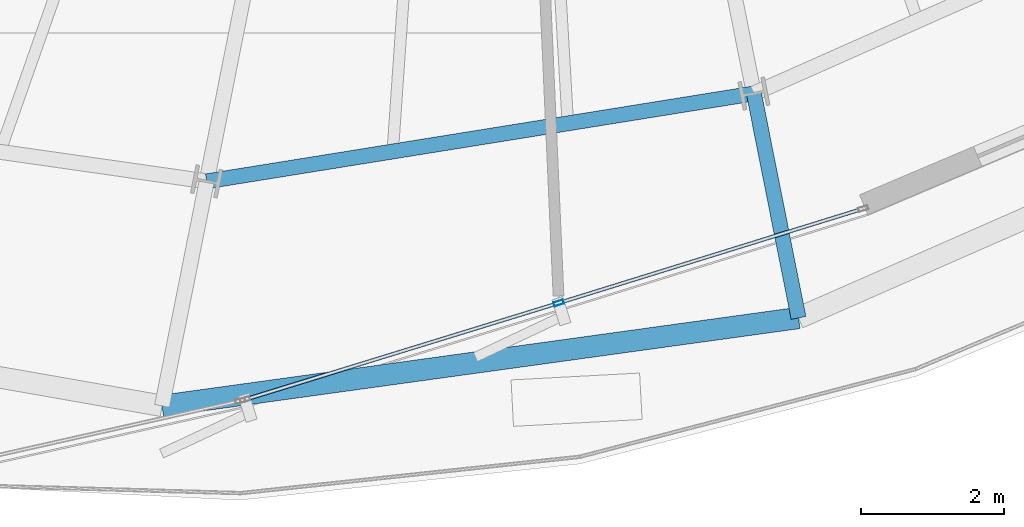
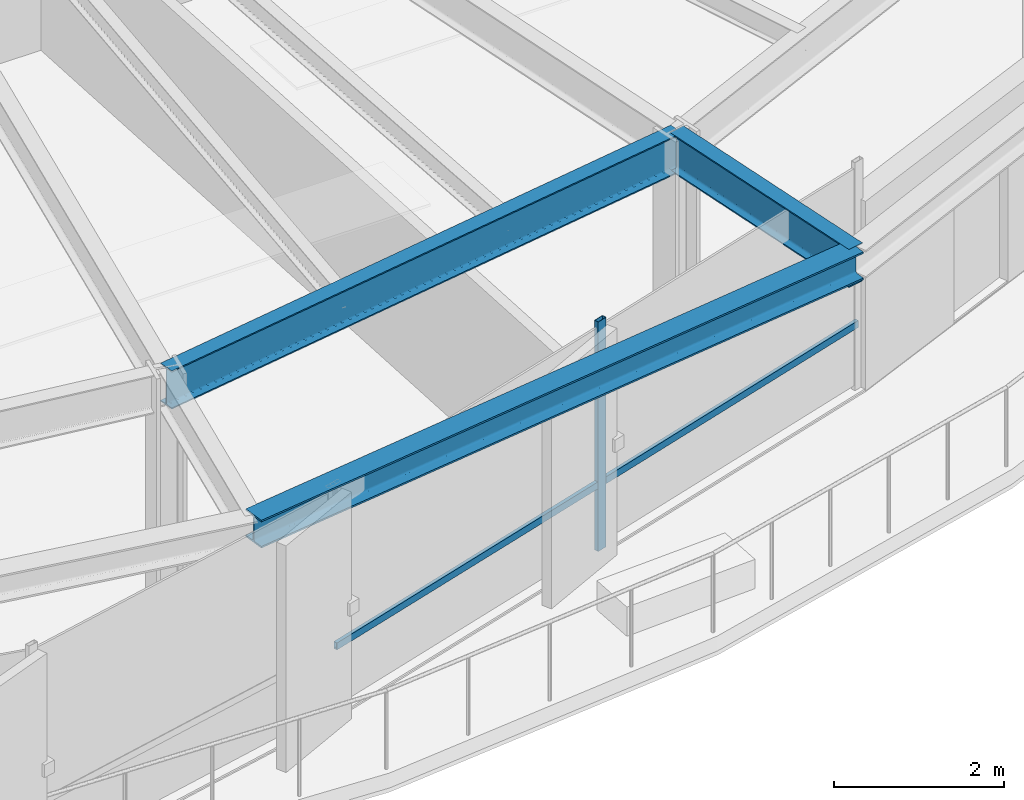
# One storey, part 6 of 36: 3 beams, 3 members, 1 element without a shape of its own.
"""IFC4 building model written with IfcOpenShell, lengths in metres."""

from ifc_helpers import new_model, si_unit, direction, frame, origin, origin_2d, place, context, subcontext, project, spatial, hollow_rectangle, i_section, extrude, source, transform, mapped, material, layer, layer_set, material_profile, profile_set, type_object, element, aggregate, save


model = new_model("IFC4")

# Units and contexts
model_context = context("Model", 3, precision=1e-05, world=origin(), true_north=direction((0.0, 1.0)))
body_context = subcontext(model_context, "Body", "Model", "MODEL_VIEW")
ifc_project = project(units=[si_unit("LENGTHUNIT", "METRE"), si_unit("AREAUNIT", "SQUARE_METRE"), si_unit("VOLUMEUNIT", "CUBIC_METRE"), si_unit("PLANEANGLEUNIT", "RADIAN"), si_unit("MASSUNIT", "GRAM", prefix="KILO"), si_unit("THERMODYNAMICTEMPERATUREUNIT", "KELVIN")], contexts=[model_context])

# Site, building, storey
site_placement = place(None, origin())
site = spatial("IfcSite", under=ifc_project, at=site_placement, CompositionType="ELEMENT")
building_placement = place(site_placement, origin())
building = spatial("IfcBuilding", under=site, at=building_placement, Name="Kethvar Cultural Tower", CompositionType="ELEMENT")
storey_placement = place(building_placement, frame((0.0, 0.0, 143.0)))
storey = spatial("IfcBuildingStorey", under=building, at=storey_placement, Name="L36", CompositionType="ELEMENT", Elevation=143.0)

# Beams
ifc_material_1 = material(Name="Steel S355J2", Category="steel")
ifc_material_profile_1 = material_profile(ifc_material_1, i_section(OverallWidth=0.2099609375, OverallDepth=0.550048828125, WebThickness=0.010986328125, FlangeThickness=0.01708984375, FilletRadius=0.02392578125, at=origin_2d()), Name="Steel S355J2 — IPE550")
ifc_profile_set_1 = profile_set([ifc_material_profile_1], Name="Steel S355J2 — IPE550")
beam_type_1 = type_object("IfcBeamType", Name="BM-IPE550", PredefinedType="BEAM", material=ifc_profile_set_1)
shared_shape_1 = source(origin(), body_context, "Body", "SweptSolid", [
    extrude(i_section(OverallWidth=0.2099609375, OverallDepth=0.550048828125, WebThickness=0.010986328125, FlangeThickness=0.01708984375, FilletRadius=0.02392578125, at=origin_2d()), origin(), (0.0, 0.0, 1.0), 3.2001953125),
])
beam_1_placement = place(storey_placement, frame((50.50341796875, 9.182373046875, 3.02294921875), z_axis=(0.195074368086, -0.980788453702, 0.0), x_axis=(0.980788453702, 0.195074368086, 0.0)))
element("IfcBeam", 1, at=beam_1_placement, inside=storey, type_object=beam_type_1, Name="L36 Perimeter Cantilever Beam RC-13", PredefinedType="BEAM", context=body_context, shape_type="MappedRepresentation", body=[
    mapped(shared_shape_1, transform((0.0, 0.0, 0.0), scale=1.0)),
])
shared_shape_2 = source(origin(), body_context, "Body", "SweptSolid", [
    extrude(i_section(OverallWidth=0.2099609375, OverallDepth=0.550048828125, WebThickness=0.010986328125, FlangeThickness=0.01708984375, FilletRadius=0.02392578125, at=origin_2d()), origin(), (0.0, 0.0, 1.0), 7.749267578125),
])
beam_2_placement = place(storey_placement, frame((42.852294921875, 7.95361328125, 3.02294921875), z_axis=(0.987348257569, 0.158566762831, 0.0), x_axis=(-0.158566762831, 0.987348257569, 0.0)))
element("IfcBeam", 2, at=beam_2_placement, inside=storey, type_object=beam_type_1, Name="L36 Column Ring Tie Beam CR-12", PredefinedType="BEAM", context=body_context, shape_type="MappedRepresentation", body=[
    mapped(shared_shape_2, transform((0.0, 0.0, 0.0), scale=1.0)),
])
ifc_material_profile_2 = material_profile(ifc_material_1, i_section(OverallWidth=0.300048828125, OverallDepth=0.39990234375, WebThickness=0.013427734375, FlangeThickness=0.02392578125, FilletRadius=0.027099609375, at=origin_2d()), Name="Steel S355J2 — HEB400")
ifc_profile_set_2 = profile_set([ifc_material_profile_2], Name="Steel S355J2 — HEB400")
beam_type_2 = type_object("IfcBeamType", Name="BM-SP400", PredefinedType="SPANDREL", material=ifc_profile_set_2)
shared_shape_3 = source(origin(), body_context, "Body", "SweptSolid", [
    extrude(i_section(OverallWidth=0.300048828125, OverallDepth=0.39990234375, WebThickness=0.013427734375, FlangeThickness=0.02392578125, FilletRadius=0.027099609375, at=origin_2d()), origin(), (0.0, 0.0, 1.0), 8.984130859375),
])
beam_3_placement = place(storey_placement, frame((42.22802734375, 4.81494140625, 3.097900390625), z_axis=(0.990602728928, 0.136770733127, 0.0), x_axis=(-0.136770733127, 0.990602728928, 0.0)))
element("IfcBeam", 3, at=beam_3_placement, inside=storey, type_object=beam_type_2, Name="L36 Perimeter Spandrel Beam SP-12", PredefinedType="SPANDREL", context=body_context, shape_type="MappedRepresentation", body=[
    mapped(shared_shape_3, transform((0.0, 0.0, 0.0), scale=1.0)),
])

# Curtain wall, members
ifc_material_2 = material(Name="Aluminium 6063-T6", Category="aluminium")
ifc_layer = layer(ifc_material_2, 0.179931640625, Name="Aluminium 6063-T6", Category="aluminium")
ifc_layer_set = layer_set([ifc_layer], Name="Aluminium 6063-T6 (180 mm)")
curtain_wall_type = type_object("IfcCurtainWallType", Name="CW-SYS-04-Z34", PredefinedType="NOTDEFINED", material=ifc_layer_set)
curtain_wall_placement = place(storey_placement, origin())
curtain_wall = element("IfcCurtainWall", 4, at=curtain_wall_placement, inside=storey, type_object=curtain_wall_type, Name="L36 Curtain Wall Run 05", PredefinedType="NOTDEFINED")
ifc_material_profile_3 = material_profile(ifc_material_2, hollow_rectangle(XDim=0.06005859375, YDim=0.139892578125, WallThickness=0.0048828125, at=origin_2d()), Name="Aluminium 6063-T6 — RHS140x60x5")
ifc_profile_set_3 = profile_set([ifc_material_profile_3], Name="Aluminium 6063-T6 — RHS140x60x5")
member_type_1 = type_object("IfcMemberType", Name="CW-SYS-04-Z34-MUL", PredefinedType="MULLION", material=ifc_profile_set_3)
shared_shape_4 = source(origin(), body_context, "Body", "SweptSolid", [
    extrude(hollow_rectangle(XDim=0.06005859375, YDim=0.139892578125, WallThickness=0.0048828125, at=origin_2d()), origin(), (0.0, 0.0, 1.0), 3.300048828125),
])
member_1_placement = place(storey_placement, frame((47.77587890625, 6.25341796875, 0.0), z_axis=(0.0, 0.0, 1.0), x_axis=(-0.296141511153, 0.955144075714, 0.0)))
member_1 = element("IfcMember", 5, at=member_1_placement, type_object=member_type_1, Name="CW-L36-R05 Mullion 2", PredefinedType="MULLION", context=body_context, shape_type="MappedRepresentation", body=[
    mapped(shared_shape_4, transform((0.0, 0.0, 0.0), scale=1.0)),
])
ifc_material_profile_4 = material_profile(ifc_material_2, hollow_rectangle(XDim=0.050048828125, YDim=0.10009765625, WallThickness=0.00390625, at=origin_2d()), Name="Aluminium 6063-T6 — RHS100x50x4")
ifc_profile_set_4 = profile_set([ifc_material_profile_4], Name="Aluminium 6063-T6 — RHS100x50x4")
member_type_2 = type_object("IfcMemberType", Name="CW-SYS-04-Z34-TRN", PredefinedType="USERDEFINED", material=ifc_profile_set_4)
shared_shape_5 = source(origin(), body_context, "Body", "SweptSolid", [
    extrude(hollow_rectangle(XDim=0.050048828125, YDim=0.10009765625, WallThickness=0.00390625, at=origin_2d()), origin(), (0.0, 0.0, 1.0), 4.54248046875),
])
member_2_placement = place(storey_placement, frame((43.393310546875, 4.904296875, 0.949951171875), z_axis=(0.9557592514, 0.294150052461, 0.0), x_axis=(-0.294150052461, 0.9557592514, 0.0)))
member_2 = element("IfcMember", 6, at=member_2_placement, type_object=member_type_2, Name="CW-L36-R05 Transom 1", ObjectType="TRANSOM", PredefinedType="USERDEFINED", context=body_context, shape_type="MappedRepresentation", body=[
    mapped(shared_shape_5, transform((0.0, 0.0, 0.0), scale=1.0)),
])
shared_shape_6 = source(origin(), body_context, "Body", "SweptSolid", [
    extrude(hollow_rectangle(XDim=0.050048828125, YDim=0.10009765625, WallThickness=0.00390625, at=origin_2d()), origin(), (0.0, 0.0, 1.0), 4.408203125),
])
member_3_placement = place(storey_placement, frame((47.817138671875, 6.26611328125, 0.949951171875), z_axis=(0.955145734347, 0.296136161519, 0.0), x_axis=(-0.296136161519, 0.955145734347, 0.0)))
member_3 = element("IfcMember", 7, at=member_3_placement, type_object=member_type_2, Name="CW-L36-R05 Transom 2", ObjectType="TRANSOM", PredefinedType="USERDEFINED", context=body_context, shape_type="MappedRepresentation", body=[
    mapped(shared_shape_6, transform((0.0, 0.0, 0.0), scale=1.0)),
])
aggregate(curtain_wall, [member_1, member_2, member_3])

save(model, "model.ifc")
